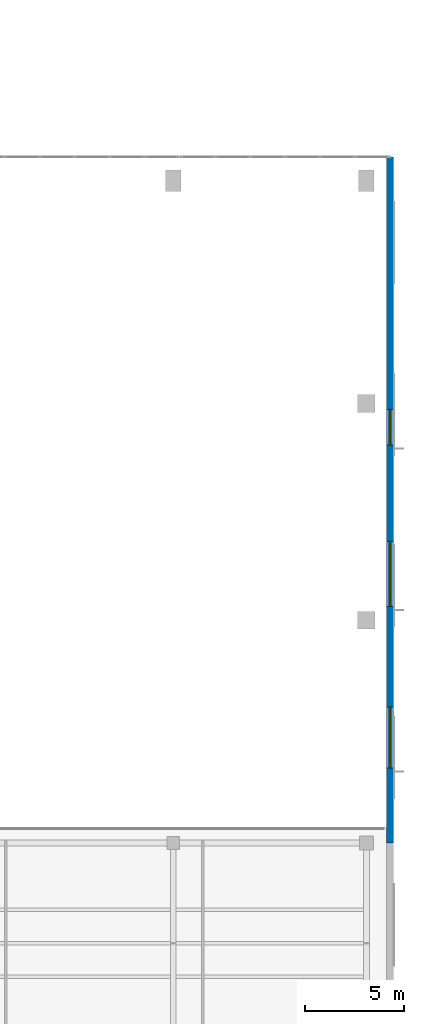
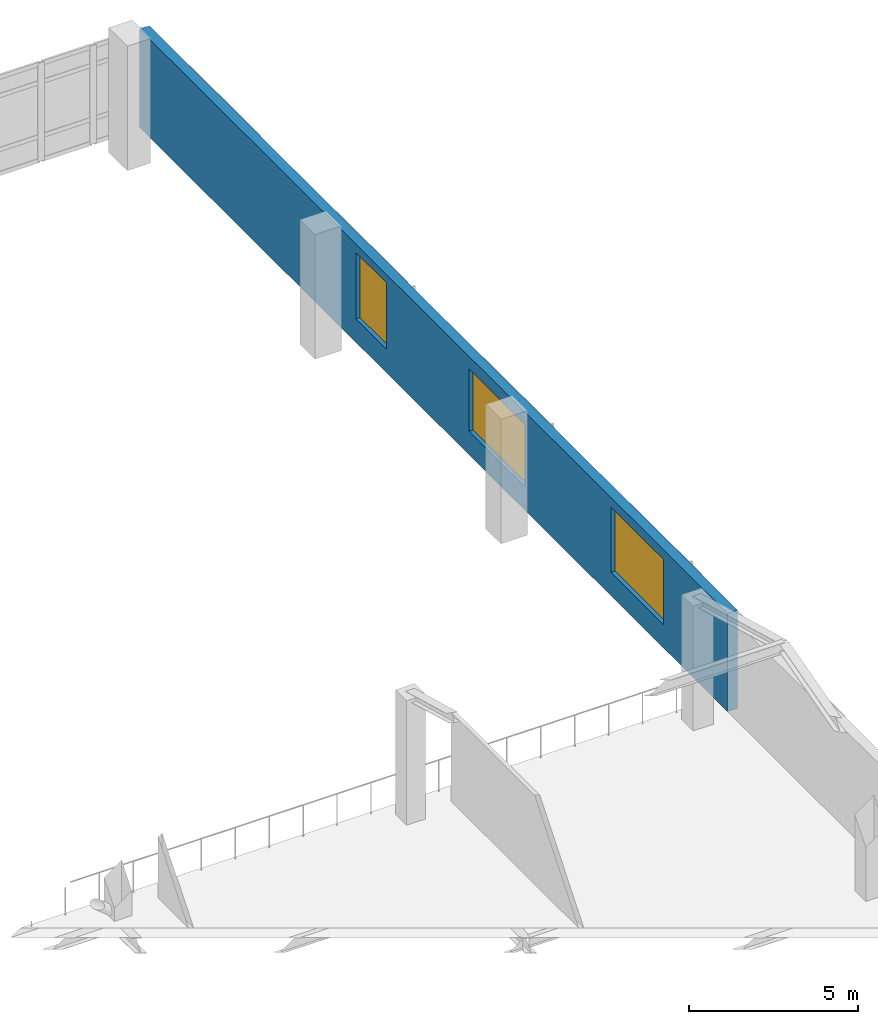
# One storey, part 106 of 120: 3 windows, 1 wall, 3 openings.
"""IFC4 building model written with IfcOpenShell, lengths in metres."""

from ifc_helpers import new_model, si_unit, direction, frame, frame_2d, origin, place, context, subcontext, project, spatial, rectangle, extrude, material, layer, layer_set, type_object, element, fill, save


model = new_model("IFC4")

# Units and contexts
model_context = context("Model", 3, precision=1e-05, world=origin(), true_north=direction((0.0, 1.0)))
body_context = subcontext(model_context, "Body", "Model", "MODEL_VIEW")
ifc_project = project(units=[si_unit("LENGTHUNIT", "METRE"), si_unit("AREAUNIT", "SQUARE_METRE"), si_unit("VOLUMEUNIT", "CUBIC_METRE"), si_unit("PLANEANGLEUNIT", "RADIAN"), si_unit("MASSUNIT", "GRAM", prefix="KILO")], contexts=[model_context])

# Site, building, storey
site_placement = place(None, origin())
site = spatial("IfcSite", under=ifc_project, at=site_placement, CompositionType="ELEMENT")
building_placement = place(site_placement, origin())
building = spatial("IfcBuilding", under=site, at=building_placement, Name="Sohan Crest Arena", CompositionType="ELEMENT")
storey_placement = place(building_placement, frame((0.0, 0.0, 13.5)))
storey = spatial("IfcBuildingStorey", under=building, at=storey_placement, Name="L03", CompositionType="ELEMENT", Elevation=13.5)

# Wall, openings, windows
ifc_material_1 = material(Name="Honed dark basalt stone cladding wall", Category="masonry")
ifc_layer = layer(ifc_material_1, 0.340087890625, Name="Honed dark basalt stone cladding wall")
ifc_layer_set = layer_set([ifc_layer], Name="Honed dark basalt stone cladding wall")
wall_type = type_object("IfcWallType", Name="WAL-EW04", PredefinedType="SOLIDWALL", material=ifc_layer_set)
wall_placement = place(storey_placement, frame((227.0, 77.199951171875, 0.0), z_axis=(0.0, 0.0, 1.0), x_axis=(0.0, 1.0, 0.0)))
wall = element("IfcWall", 1, at=wall_placement, inside=storey, type_object=wall_type, Name="External wall EW-122", PredefinedType="SOLIDWALL", context=body_context, shape_type="SweptSolid", body=[
    extrude(rectangle(XDim=34.800048828125, YDim=0.340087890625, at=frame_2d((17.39990234375, 0.0))), origin(), (0.0, 0.0, 1.0), 3.550048828125),
])
opening_1_placement = place(wall_placement, frame((3.800048828125, 0.0, 0.85009765625)))
opening_1 = element("IfcOpeningElement", 2, at=opening_1_placement, cuts=wall, Name="Opening W-031", PredefinedType="OPENING", context=body_context, shape_type="SweptSolid", body=[
    extrude(rectangle(XDim=3.10009765625, YDim=2.35009765625, at=frame_2d((1.550048828125, 1.175048828125))), frame((0.0, 0.179931640625, 0.0), z_axis=(0.0, -1.0, 0.0), x_axis=(1.0, 0.0, 0.0)), (0.0, 0.0, 1.0), 0.360107421875),
])
opening_2_placement = place(wall_placement, frame((12.0, 0.0, 0.85009765625)))
opening_2 = element("IfcOpeningElement", 3, at=opening_2_placement, cuts=wall, Name="Opening W-032", PredefinedType="OPENING", context=body_context, shape_type="SweptSolid", body=[
    extrude(rectangle(XDim=3.300048828125, YDim=2.25, at=frame_2d((1.64990234375, 1.125))), frame((0.0, 0.179931640625, 0.0), z_axis=(0.0, -1.0, 0.0), x_axis=(1.0, 0.0, 0.0)), (0.0, 0.0, 1.0), 0.360107421875),
])
opening_3_placement = place(wall_placement, frame((20.199951171875, 0.0, 0.85009765625)))
opening_3 = element("IfcOpeningElement", 4, at=opening_3_placement, cuts=wall, Name="Opening W-033", PredefinedType="OPENING", context=body_context, shape_type="SweptSolid", body=[
    extrude(rectangle(XDim=1.800048828125, YDim=2.39990234375, at=frame_2d((0.89990234375, 1.199951171875))), frame((0.0, 0.179931640625, 0.0), z_axis=(0.0, -1.0, 0.0), x_axis=(1.0, 0.0, 0.0)), (0.0, 0.0, 1.0), 0.360107421875),
])
ifc_material_2 = material(Name="Low-E double-glazed insulated glass", Category="glass")
window_type_1 = type_object("IfcWindowType", Name="WIN-W01", PartitioningType="SINGLE_PANEL", PredefinedType="WINDOW", material=ifc_material_2)
window_1_placement = place(opening_3_placement, origin())
window_1 = element("IfcWindow", 5, at=window_1_placement, inside=storey, type_object=window_type_1, Name="Community wing window W-033", OverallHeight=2.39990234375, OverallWidth=1.800048828125, PartitioningType="SINGLE_PANEL", PredefinedType="WINDOW", context=body_context, shape_type="SweptSolid", body=[
    extrude(rectangle(XDim=1.800048828125, YDim=2.39990234375, at=frame_2d((0.89990234375, 1.199951171875))), frame((0.0, 0.030029296875, 0.0), z_axis=(0.0, -1.0, 0.0), x_axis=(1.0, 0.0, 0.0)), (0.0, 0.0, 1.0), 0.06005859375),
])
fill(opening_3, window_1)
window_type_2 = type_object("IfcWindowType", Name="WIN-W31", PartitioningType="SINGLE_PANEL", PredefinedType="WINDOW", material=ifc_material_2)
window_2_placement = place(opening_1_placement, origin())
window_2 = element("IfcWindow", 6, at=window_2_placement, inside=storey, type_object=window_type_2, Name="Community wing window W-031", OverallHeight=2.35009765625, OverallWidth=3.10009765625, PartitioningType="SINGLE_PANEL", PredefinedType="WINDOW", context=body_context, shape_type="SweptSolid", body=[
    extrude(rectangle(XDim=3.10009765625, YDim=2.35009765625, at=frame_2d((1.550048828125, 1.175048828125))), frame((0.0, 0.030029296875, 0.0), z_axis=(0.0, -1.0, 0.0), x_axis=(1.0, 0.0, 0.0)), (0.0, 0.0, 1.0), 0.06005859375),
])
fill(opening_1, window_2)
window_type_3 = type_object("IfcWindowType", Name="WIN-W32", PartitioningType="SINGLE_PANEL", PredefinedType="WINDOW", material=ifc_material_2)
window_3_placement = place(opening_2_placement, origin())
window_3 = element("IfcWindow", 7, at=window_3_placement, inside=storey, type_object=window_type_3, Name="Community wing window W-032", OverallHeight=2.25, OverallWidth=3.300048828125, PartitioningType="SINGLE_PANEL", PredefinedType="WINDOW", context=body_context, shape_type="SweptSolid", body=[
    extrude(rectangle(XDim=3.300048828125, YDim=2.25, at=frame_2d((1.64990234375, 1.125))), frame((0.0, 0.030029296875, 0.0), z_axis=(0.0, -1.0, 0.0), x_axis=(1.0, 0.0, 0.0)), (0.0, 0.0, 1.0), 0.06005859375),
])
fill(opening_2, window_3)

save(model, "model.ifc")
